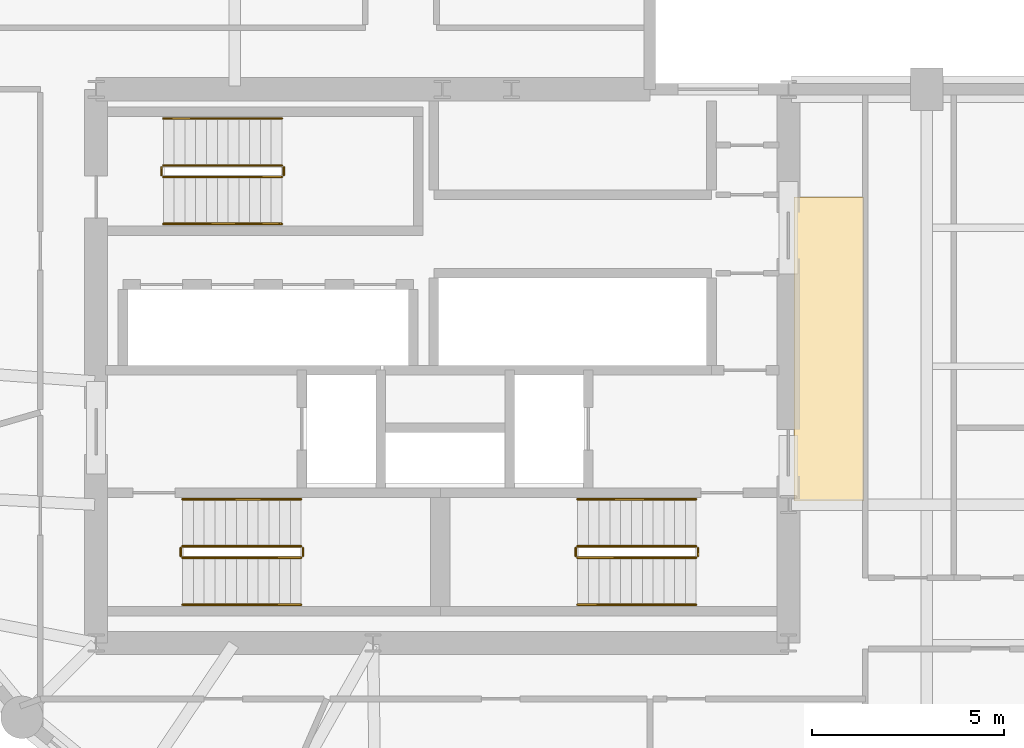
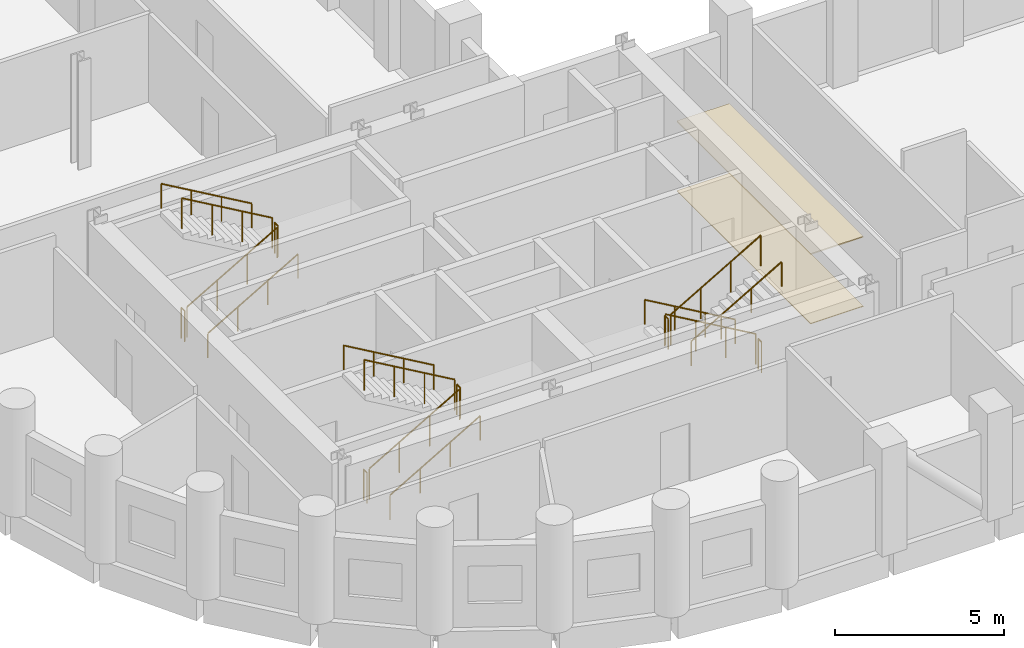
# One storey, part 7 of 7: 18 railings, 2 coverings.
"""IFC4 building model written with IfcOpenShell, lengths in metres."""

from ifc_helpers import new_model, si_unit, direction, frame, origin, origin_2d, place, context, subcontext, project, spatial, polyline, circle, outline, extrude, material, layer, layer_set, type_object, element, save


model = new_model("IFC4")

# Units and contexts
model_context = context("Model", 3, precision=1e-05, world=origin(), true_north=direction((0.0, 1.0)))
body_context = subcontext(model_context, "Body", "Model", "MODEL_VIEW")
ifc_project = project(units=[si_unit("LENGTHUNIT", "METRE"), si_unit("AREAUNIT", "SQUARE_METRE"), si_unit("VOLUMEUNIT", "CUBIC_METRE"), si_unit("PLANEANGLEUNIT", "RADIAN"), si_unit("MASSUNIT", "GRAM", prefix="KILO")], contexts=[model_context])

# Site, building, storey
site_placement = place(None, origin())
site = spatial("IfcSite", under=ifc_project, at=site_placement, CompositionType="ELEMENT")
building_placement = place(site_placement, origin())
building = spatial("IfcBuilding", under=site, at=building_placement, Name="Solnavia Interchange Tower", CompositionType="ELEMENT")
storey_placement = place(building_placement, frame((0.0, 0.0, 91.800048828125)))
storey = spatial("IfcBuildingStorey", under=building, at=storey_placement, Name="L22", CompositionType="ELEMENT", Elevation=91.800048828125)

# Coverings
ifc_material_1 = material(Name="Perforated Mineral-Fibre & Gypsum Ceiling", Category="gypsum")
ifc_layer_1 = layer(ifc_material_1, 0.0400390625)
ifc_layer_set_1 = layer_set([ifc_layer_1], Name="Perforated Mineral-Fibre & Gypsum Ceiling")
covering_type_1 = type_object("IfcCoveringType", Name="Covering-Ceiling-Acoustic40", PredefinedType="CEILING", material=ifc_layer_set_1)
covering_1_placement = place(storey_placement, frame((0.0, 0.0, 2.5)))
element("IfcCovering", 1, at=covering_1_placement, inside=storey, type_object=covering_type_1, Name="CLG-L22-01 Circulation suspended acoustic ceiling", PredefinedType="CEILING", context=body_context, shape_type="SweptSolid", body=[
    extrude(outline(polyline([(32.550048828125, 14.5), (34.35009765625, 14.5), (34.35009765625, 22.39990234375), (32.550048828125, 22.39990234375), (32.550048828125, 14.5)])), origin(), (0.0, 0.0, 1.0), 0.0400390625),
])
ifc_material_2 = material(Name="Polished Alicante Stone Terrazzo", Category="masonry")
ifc_layer_2 = layer(ifc_material_2, 0.02490234375)
ifc_layer_set_2 = layer_set([ifc_layer_2], Name="Polished Alicante Stone Terrazzo")
covering_type_2 = type_object("IfcCoveringType", Name="Covering-Flooring-Terrazzo25", PredefinedType="FLOORING", material=ifc_layer_set_2)
covering_2_placement = place(storey_placement, origin())
element("IfcCovering", 2, at=covering_2_placement, inside=storey, type_object=covering_type_2, Name="FLR-L22-01 Circulation floor finish", PredefinedType="FLOORING", context=body_context, shape_type="SweptSolid", body=[
    extrude(outline(polyline([(32.550048828125, 14.5), (34.35009765625, 14.5), (34.35009765625, 22.39990234375), (32.550048828125, 22.39990234375), (32.550048828125, 14.5)])), origin(), (0.0, 0.0, 1.0), 0.02490234375),
])

# Railings
ifc_material_3 = material(Name="Painted Steel Balustrade", Category="steel")
railing_type_1 = type_object("IfcRailingType", Name="Railing-StairGuard-1100", PredefinedType="GUARDRAIL", material=ifc_material_3)
railing_1_placement = place(storey_placement, frame((16.64990234375, 13.02001953125, 0.162353515625)))
element("IfcRailing", 3, at=railing_1_placement, inside=storey, type_object=railing_type_1, Name="L22 ST-1 stair guard 1", PredefinedType="GUARDRAIL", context=body_context, shape_type="SweptSolid", body=[
    extrude(circle(Radius=0.02392578125, at=origin_2d()), frame((0.0, 0.0, 1.09619140625), z_axis=(0.864890721111, 0.0, 0.501960198159), x_axis=(0.0, 1.0, 0.0)), (0.0, 0.0, 1.0), 3.561279296875),
    extrude(circle(Radius=0.02099609375, at=origin_2d()), origin(), (0.0, 0.0, 1.0), 1.072021484375),
    extrude(circle(Radius=0.02099609375, at=origin_2d()), frame((1.026611328125, 0.0, 0.595947265625)), (0.0, 0.0, 1.0), 1.072021484375),
    extrude(circle(Radius=0.02099609375, at=origin_2d()), frame((2.053466796875, 0.0, 1.191650390625)), (0.0, 0.0, 1.0), 1.072021484375),
    extrude(circle(Radius=0.02099609375, at=origin_2d()), frame((3.080078125, 0.0, 1.78759765625)), (0.0, 0.0, 1.0), 1.072021484375),
])
railing_2_placement = place(storey_placement, frame((19.780029296875, 13.070068359375, 1.949951171875)))
element("IfcRailing", 4, at=railing_2_placement, inside=storey, type_object=railing_type_1, Name="L22 ST-1 stair guard 2", PredefinedType="GUARDRAIL", context=body_context, shape_type="SweptSolid", body=[
    extrude(circle(Radius=0.02392578125, at=origin_2d()), frame((0.0, 0.0, 1.09619140625), z_axis=(0.0, 1.0, 0.0), x_axis=(-1.0, 0.0, 0.0)), (0.0, 0.0, 1.0), 0.199951171875),
    extrude(circle(Radius=0.02099609375, at=origin_2d()), origin(), (0.0, 0.0, 1.0), 1.072021484375),
    extrude(circle(Radius=0.02099609375, at=origin_2d()), frame((0.0, 0.199951171875, 0.0)), (0.0, 0.0, 1.0), 1.072021484375),
])
railing_3_placement = place(storey_placement, frame((19.72998046875, 13.320068359375, 2.112548828125)))
element("IfcRailing", 5, at=railing_3_placement, inside=storey, type_object=railing_type_1, Name="L22 ST-1 stair guard 3", PredefinedType="GUARDRAIL", context=body_context, shape_type="SweptSolid", body=[
    extrude(circle(Radius=0.02392578125, at=origin_2d()), frame((0.0, 0.0, 1.09619140625), z_axis=(-0.864920483161, 0.0, 0.501908913857), x_axis=(0.0, -1.0, 0.0)), (0.0, 0.0, 1.0), 3.56103515625),
    extrude(circle(Radius=0.02099609375, at=origin_2d()), origin(), (0.0, 0.0, 1.0), 1.072021484375),
    extrude(circle(Radius=0.02099609375, at=origin_2d()), frame((-1.026611328125, 0.0, 0.595703125)), (0.0, 0.0, 1.0), 1.072021484375),
    extrude(circle(Radius=0.02099609375, at=origin_2d()), frame((-2.053466796875, 0.0, 1.191650390625)), (0.0, 0.0, 1.0), 1.072021484375),
    extrude(circle(Radius=0.02099609375, at=origin_2d()), frame((-3.080078125, 0.0, 1.787353515625)), (0.0, 0.0, 1.0), 1.072021484375),
])
railing_4_placement = place(storey_placement, frame((16.60009765625, 13.070068359375, 0.0)))
element("IfcRailing", 6, at=railing_4_placement, inside=storey, type_object=railing_type_1, Name="L22 ST-1 stair guard 4", PredefinedType="GUARDRAIL", context=body_context, shape_type="SweptSolid", body=[
    extrude(circle(Radius=0.02392578125, at=origin_2d()), frame((0.0, 0.0, 1.09619140625), z_axis=(0.0, 1.0, 0.0), x_axis=(-1.0, 0.0, 0.0)), (0.0, 0.0, 1.0), 0.199951171875),
    extrude(circle(Radius=0.02099609375, at=origin_2d()), origin(), (0.0, 0.0, 1.0), 1.072021484375),
    extrude(circle(Radius=0.02099609375, at=origin_2d()), frame((0.0, 0.199951171875, 0.0)), (0.0, 0.0, 1.0), 1.072021484375),
])
railing_5_placement = place(storey_placement, frame((30.0, 13.320068359375, 0.162353515625)))
element("IfcRailing", 7, at=railing_5_placement, inside=storey, type_object=railing_type_1, Name="L22 ST-2 stair guard 1", PredefinedType="GUARDRAIL", context=body_context, shape_type="SweptSolid", body=[
    extrude(circle(Radius=0.02392578125, at=origin_2d()), frame((0.0, 0.0, 1.09619140625), z_axis=(-0.864890721111, 0.0, 0.501960198159), x_axis=(0.0, -1.0, 0.0)), (0.0, 0.0, 1.0), 3.561279296875),
    extrude(circle(Radius=0.02099609375, at=origin_2d()), origin(), (0.0, 0.0, 1.0), 1.072021484375),
    extrude(circle(Radius=0.02099609375, at=origin_2d()), frame((-1.026611328125, 0.0, 0.595947265625)), (0.0, 0.0, 1.0), 1.072021484375),
    extrude(circle(Radius=0.02099609375, at=origin_2d()), frame((-2.053466796875, 0.0, 1.191650390625)), (0.0, 0.0, 1.0), 1.072021484375),
    extrude(circle(Radius=0.02099609375, at=origin_2d()), frame((-3.080078125, 0.0, 1.78759765625)), (0.0, 0.0, 1.0), 1.072021484375),
])
railing_6_placement = place(storey_placement, frame((26.8701171875, 13.27001953125, 1.949951171875)))
element("IfcRailing", 8, at=railing_6_placement, inside=storey, type_object=railing_type_1, Name="L22 ST-2 stair guard 2", PredefinedType="GUARDRAIL", context=body_context, shape_type="SweptSolid", body=[
    extrude(circle(Radius=0.02392578125, at=origin_2d()), frame((0.0, 0.0, 1.09619140625), z_axis=(0.0, -1.0, 0.0), x_axis=(1.0, 0.0, 0.0)), (0.0, 0.0, 1.0), 0.199951171875),
    extrude(circle(Radius=0.02099609375, at=origin_2d()), origin(), (0.0, 0.0, 1.0), 1.072021484375),
    extrude(circle(Radius=0.02099609375, at=origin_2d()), frame((0.0, -0.199951171875, 0.0)), (0.0, 0.0, 1.0), 1.072021484375),
])
railing_7_placement = place(storey_placement, frame((26.919921875, 13.02001953125, 2.112548828125)))
element("IfcRailing", 9, at=railing_7_placement, inside=storey, type_object=railing_type_1, Name="L22 ST-2 stair guard 3", PredefinedType="GUARDRAIL", context=body_context, shape_type="SweptSolid", body=[
    extrude(circle(Radius=0.02392578125, at=origin_2d()), frame((0.0, 0.0, 1.09619140625), z_axis=(0.864920483161, 0.0, 0.501908913857), x_axis=(0.0, 1.0, 0.0)), (0.0, 0.0, 1.0), 3.56103515625),
    extrude(circle(Radius=0.02099609375, at=origin_2d()), origin(), (0.0, 0.0, 1.0), 1.072021484375),
    extrude(circle(Radius=0.02099609375, at=origin_2d()), frame((1.026611328125, 0.0, 0.595703125)), (0.0, 0.0, 1.0), 1.072021484375),
    extrude(circle(Radius=0.02099609375, at=origin_2d()), frame((2.053466796875, 0.0, 1.191650390625)), (0.0, 0.0, 1.0), 1.072021484375),
    extrude(circle(Radius=0.02099609375, at=origin_2d()), frame((3.080078125, 0.0, 1.787353515625)), (0.0, 0.0, 1.0), 1.072021484375),
])
railing_8_placement = place(storey_placement, frame((30.050048828125, 13.27001953125, 0.0)))
element("IfcRailing", 10, at=railing_8_placement, inside=storey, type_object=railing_type_1, Name="L22 ST-2 stair guard 4", PredefinedType="GUARDRAIL", context=body_context, shape_type="SweptSolid", body=[
    extrude(circle(Radius=0.02392578125, at=origin_2d()), frame((0.0, 0.0, 1.09619140625), z_axis=(0.0, -1.0, 0.0), x_axis=(1.0, 0.0, 0.0)), (0.0, 0.0, 1.0), 0.199951171875),
    extrude(circle(Radius=0.02099609375, at=origin_2d()), origin(), (0.0, 0.0, 1.0), 1.072021484375),
    extrude(circle(Radius=0.02099609375, at=origin_2d()), frame((0.0, -0.199951171875, 0.0)), (0.0, 0.0, 1.0), 1.072021484375),
])
railing_9_placement = place(storey_placement, frame((16.14990234375, 22.919921875, 0.162353515625)))
element("IfcRailing", 11, at=railing_9_placement, inside=storey, type_object=railing_type_1, Name="L22 ST-3 stair guard 1", PredefinedType="GUARDRAIL", context=body_context, shape_type="SweptSolid", body=[
    extrude(circle(Radius=0.02392578125, at=origin_2d()), frame((0.0, 0.0, 1.09619140625), z_axis=(0.864890721111, 0.0, 0.501960198159), x_axis=(0.0, 1.0, 0.0)), (0.0, 0.0, 1.0), 3.561279296875),
    extrude(circle(Radius=0.02099609375, at=origin_2d()), origin(), (0.0, 0.0, 1.0), 1.072021484375),
    extrude(circle(Radius=0.02099609375, at=origin_2d()), frame((1.026611328125, 0.0, 0.595947265625)), (0.0, 0.0, 1.0), 1.072021484375),
    extrude(circle(Radius=0.02099609375, at=origin_2d()), frame((2.053466796875, 0.0, 1.191650390625)), (0.0, 0.0, 1.0), 1.072021484375),
    extrude(circle(Radius=0.02099609375, at=origin_2d()), frame((3.080078125, 0.0, 1.78759765625)), (0.0, 0.0, 1.0), 1.072021484375),
])
railing_10_placement = place(storey_placement, frame((19.280029296875, 22.969970703125, 1.949951171875)))
element("IfcRailing", 12, at=railing_10_placement, inside=storey, type_object=railing_type_1, Name="L22 ST-3 stair guard 2", PredefinedType="GUARDRAIL", context=body_context, shape_type="SweptSolid", body=[
    extrude(circle(Radius=0.02392578125, at=origin_2d()), frame((0.0, 0.0, 1.09619140625), z_axis=(0.0, 1.0, 0.0), x_axis=(-1.0, 0.0, 0.0)), (0.0, 0.0, 1.0), 0.199951171875),
    extrude(circle(Radius=0.02099609375, at=origin_2d()), origin(), (0.0, 0.0, 1.0), 1.072021484375),
    extrude(circle(Radius=0.02099609375, at=origin_2d()), frame((0.0, 0.199951171875, 0.0)), (0.0, 0.0, 1.0), 1.072021484375),
])
railing_11_placement = place(storey_placement, frame((19.22998046875, 23.219970703125, 2.112548828125)))
element("IfcRailing", 13, at=railing_11_placement, inside=storey, type_object=railing_type_1, Name="L22 ST-3 stair guard 3", PredefinedType="GUARDRAIL", context=body_context, shape_type="SweptSolid", body=[
    extrude(circle(Radius=0.02392578125, at=origin_2d()), frame((0.0, 0.0, 1.09619140625), z_axis=(-0.864920483161, 0.0, 0.501908913857), x_axis=(0.0, -1.0, 0.0)), (0.0, 0.0, 1.0), 3.56103515625),
    extrude(circle(Radius=0.02099609375, at=origin_2d()), origin(), (0.0, 0.0, 1.0), 1.072021484375),
    extrude(circle(Radius=0.02099609375, at=origin_2d()), frame((-1.026611328125, 0.0, 0.595703125)), (0.0, 0.0, 1.0), 1.072021484375),
    extrude(circle(Radius=0.02099609375, at=origin_2d()), frame((-2.053466796875, 0.0, 1.191650390625)), (0.0, 0.0, 1.0), 1.072021484375),
    extrude(circle(Radius=0.02099609375, at=origin_2d()), frame((-3.080078125, 0.0, 1.787353515625)), (0.0, 0.0, 1.0), 1.072021484375),
])
railing_12_placement = place(storey_placement, frame((16.10009765625, 22.969970703125, 0.0)))
element("IfcRailing", 14, at=railing_12_placement, inside=storey, type_object=railing_type_1, Name="L22 ST-3 stair guard 4", PredefinedType="GUARDRAIL", context=body_context, shape_type="SweptSolid", body=[
    extrude(circle(Radius=0.02392578125, at=origin_2d()), frame((0.0, 0.0, 1.09619140625), z_axis=(0.0, 1.0, 0.0), x_axis=(-1.0, 0.0, 0.0)), (0.0, 0.0, 1.0), 0.199951171875),
    extrude(circle(Radius=0.02099609375, at=origin_2d()), origin(), (0.0, 0.0, 1.0), 1.072021484375),
    extrude(circle(Radius=0.02099609375, at=origin_2d()), frame((0.0, 0.199951171875, 0.0)), (0.0, 0.0, 1.0), 1.072021484375),
])
ifc_material_4 = material(Name="Brushed Stainless Steel", Category="steel")
railing_type_2 = type_object("IfcRailingType", Name="Railing-StairHandrail-900", PredefinedType="HANDRAIL", material=ifc_material_4)
railing_13_placement = place(storey_placement, frame((16.64990234375, 11.800048828125, 0.162353515625)))
element("IfcRailing", 15, at=railing_13_placement, inside=storey, type_object=railing_type_2, Name="L22 ST-1 stair handrail 1", PredefinedType="HANDRAIL", context=body_context, shape_type="SweptSolid", body=[
    extrude(circle(Radius=0.02392578125, at=origin_2d()), frame((0.0, 0.0, 0.8759765625), z_axis=(0.864890721111, 0.0, 0.501960198159), x_axis=(0.0, 1.0, 0.0)), (0.0, 0.0, 1.0), 3.561279296875),
    extrude(circle(Radius=0.02099609375, at=origin_2d()), origin(), (0.0, 0.0, 1.0), 0.851806640625),
    extrude(circle(Radius=0.02099609375, at=origin_2d()), frame((1.026611328125, 0.0, 0.595947265625)), (0.0, 0.0, 1.0), 0.851806640625),
    extrude(circle(Radius=0.02099609375, at=origin_2d()), frame((2.053466796875, 0.0, 1.191650390625)), (0.0, 0.0, 1.0), 0.851806640625),
    extrude(circle(Radius=0.02099609375, at=origin_2d()), frame((3.080078125, 0.0, 1.78759765625)), (0.0, 0.0, 1.0), 0.851806640625),
])
railing_14_placement = place(storey_placement, frame((19.72998046875, 14.5400390625, 2.112548828125)))
element("IfcRailing", 16, at=railing_14_placement, inside=storey, type_object=railing_type_2, Name="L22 ST-1 stair handrail 2", PredefinedType="HANDRAIL", context=body_context, shape_type="SweptSolid", body=[
    extrude(circle(Radius=0.02392578125, at=origin_2d()), frame((0.0, 0.0, 0.8759765625), z_axis=(-0.864920483161, 0.0, 0.501908913857), x_axis=(0.0, -1.0, 0.0)), (0.0, 0.0, 1.0), 3.56103515625),
    extrude(circle(Radius=0.02099609375, at=origin_2d()), origin(), (0.0, 0.0, 1.0), 0.851806640625),
    extrude(circle(Radius=0.02099609375, at=origin_2d()), frame((-1.026611328125, 0.0, 0.595703125)), (0.0, 0.0, 1.0), 0.851806640625),
    extrude(circle(Radius=0.02099609375, at=origin_2d()), frame((-2.053466796875, 0.0, 1.191650390625)), (0.0, 0.0, 1.0), 0.851806640625),
    extrude(circle(Radius=0.02099609375, at=origin_2d()), frame((-3.080078125, 0.0, 1.787353515625)), (0.0, 0.0, 1.0), 0.851806640625),
])
railing_15_placement = place(storey_placement, frame((30.0, 14.5400390625, 0.162353515625)))
element("IfcRailing", 17, at=railing_15_placement, inside=storey, type_object=railing_type_2, Name="L22 ST-2 stair handrail 1", PredefinedType="HANDRAIL", context=body_context, shape_type="SweptSolid", body=[
    extrude(circle(Radius=0.02392578125, at=origin_2d()), frame((0.0, 0.0, 0.8759765625), z_axis=(-0.864890721111, 0.0, 0.501960198159), x_axis=(0.0, -1.0, 0.0)), (0.0, 0.0, 1.0), 3.561279296875),
    extrude(circle(Radius=0.02099609375, at=origin_2d()), origin(), (0.0, 0.0, 1.0), 0.851806640625),
    extrude(circle(Radius=0.02099609375, at=origin_2d()), frame((-1.026611328125, 0.0, 0.595947265625)), (0.0, 0.0, 1.0), 0.851806640625),
    extrude(circle(Radius=0.02099609375, at=origin_2d()), frame((-2.053466796875, 0.0, 1.191650390625)), (0.0, 0.0, 1.0), 0.851806640625),
    extrude(circle(Radius=0.02099609375, at=origin_2d()), frame((-3.080078125, 0.0, 1.78759765625)), (0.0, 0.0, 1.0), 0.851806640625),
])
railing_16_placement = place(storey_placement, frame((26.919921875, 11.800048828125, 2.112548828125)))
element("IfcRailing", 18, at=railing_16_placement, inside=storey, type_object=railing_type_2, Name="L22 ST-2 stair handrail 2", PredefinedType="HANDRAIL", context=body_context, shape_type="SweptSolid", body=[
    extrude(circle(Radius=0.02392578125, at=origin_2d()), frame((0.0, 0.0, 0.8759765625), z_axis=(0.864920483161, 0.0, 0.501908913857), x_axis=(0.0, 1.0, 0.0)), (0.0, 0.0, 1.0), 3.56103515625),
    extrude(circle(Radius=0.02099609375, at=origin_2d()), origin(), (0.0, 0.0, 1.0), 0.851806640625),
    extrude(circle(Radius=0.02099609375, at=origin_2d()), frame((1.026611328125, 0.0, 0.595703125)), (0.0, 0.0, 1.0), 0.851806640625),
    extrude(circle(Radius=0.02099609375, at=origin_2d()), frame((2.053466796875, 0.0, 1.191650390625)), (0.0, 0.0, 1.0), 0.851806640625),
    extrude(circle(Radius=0.02099609375, at=origin_2d()), frame((3.080078125, 0.0, 1.787353515625)), (0.0, 0.0, 1.0), 0.851806640625),
])
railing_17_placement = place(storey_placement, frame((16.14990234375, 21.699951171875, 0.162353515625)))
element("IfcRailing", 19, at=railing_17_placement, inside=storey, type_object=railing_type_2, Name="L22 ST-3 stair handrail 1", PredefinedType="HANDRAIL", context=body_context, shape_type="SweptSolid", body=[
    extrude(circle(Radius=0.02392578125, at=origin_2d()), frame((0.0, 0.0, 0.8759765625), z_axis=(0.864890721111, 0.0, 0.501960198159), x_axis=(0.0, 1.0, 0.0)), (0.0, 0.0, 1.0), 3.561279296875),
    extrude(circle(Radius=0.02099609375, at=origin_2d()), origin(), (0.0, 0.0, 1.0), 0.851806640625),
    extrude(circle(Radius=0.02099609375, at=origin_2d()), frame((1.026611328125, 0.0, 0.595947265625)), (0.0, 0.0, 1.0), 0.851806640625),
    extrude(circle(Radius=0.02099609375, at=origin_2d()), frame((2.053466796875, 0.0, 1.191650390625)), (0.0, 0.0, 1.0), 0.851806640625),
    extrude(circle(Radius=0.02099609375, at=origin_2d()), frame((3.080078125, 0.0, 1.78759765625)), (0.0, 0.0, 1.0), 0.851806640625),
])
railing_18_placement = place(storey_placement, frame((19.22998046875, 24.43994140625, 2.112548828125)))
element("IfcRailing", 20, at=railing_18_placement, inside=storey, type_object=railing_type_2, Name="L22 ST-3 stair handrail 2", PredefinedType="HANDRAIL", context=body_context, shape_type="SweptSolid", body=[
    extrude(circle(Radius=0.02392578125, at=origin_2d()), frame((0.0, 0.0, 0.8759765625), z_axis=(-0.864920483161, 0.0, 0.501908913857), x_axis=(0.0, -1.0, 0.0)), (0.0, 0.0, 1.0), 3.56103515625),
    extrude(circle(Radius=0.02099609375, at=origin_2d()), origin(), (0.0, 0.0, 1.0), 0.851806640625),
    extrude(circle(Radius=0.02099609375, at=origin_2d()), frame((-1.026611328125, 0.0, 0.595703125)), (0.0, 0.0, 1.0), 0.851806640625),
    extrude(circle(Radius=0.02099609375, at=origin_2d()), frame((-2.053466796875, 0.0, 1.191650390625)), (0.0, 0.0, 1.0), 0.851806640625),
    extrude(circle(Radius=0.02099609375, at=origin_2d()), frame((-3.080078125, 0.0, 1.787353515625)), (0.0, 0.0, 1.0), 0.851806640625),
])

save(model, "model.ifc")
